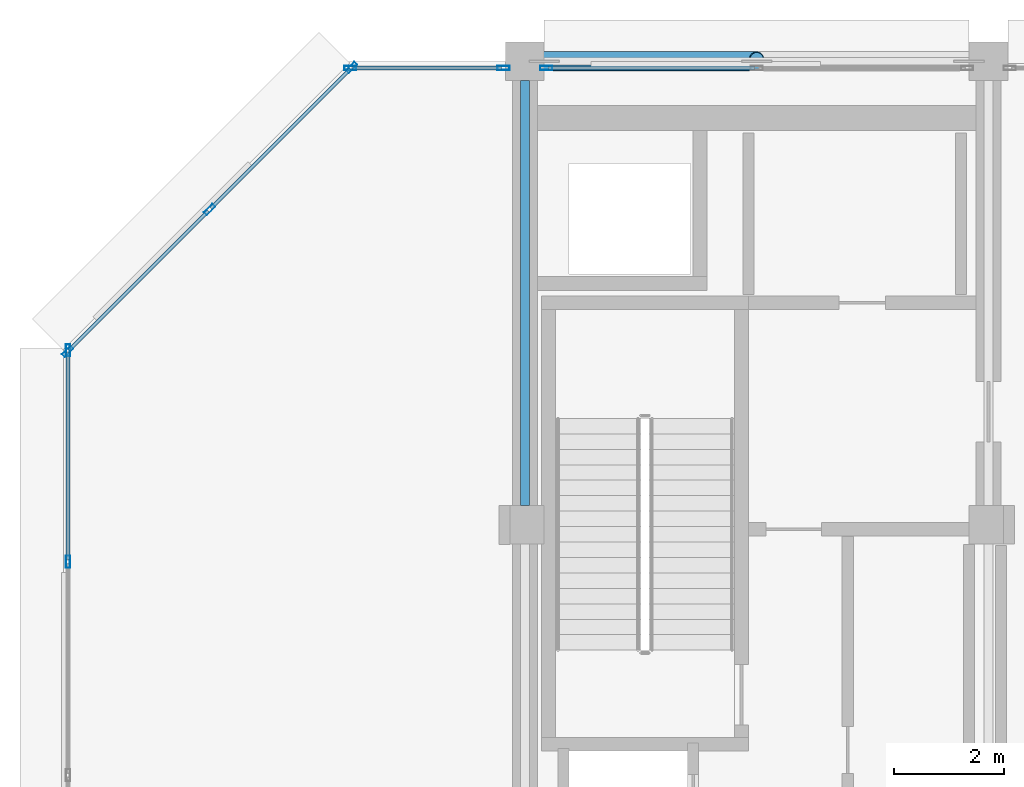
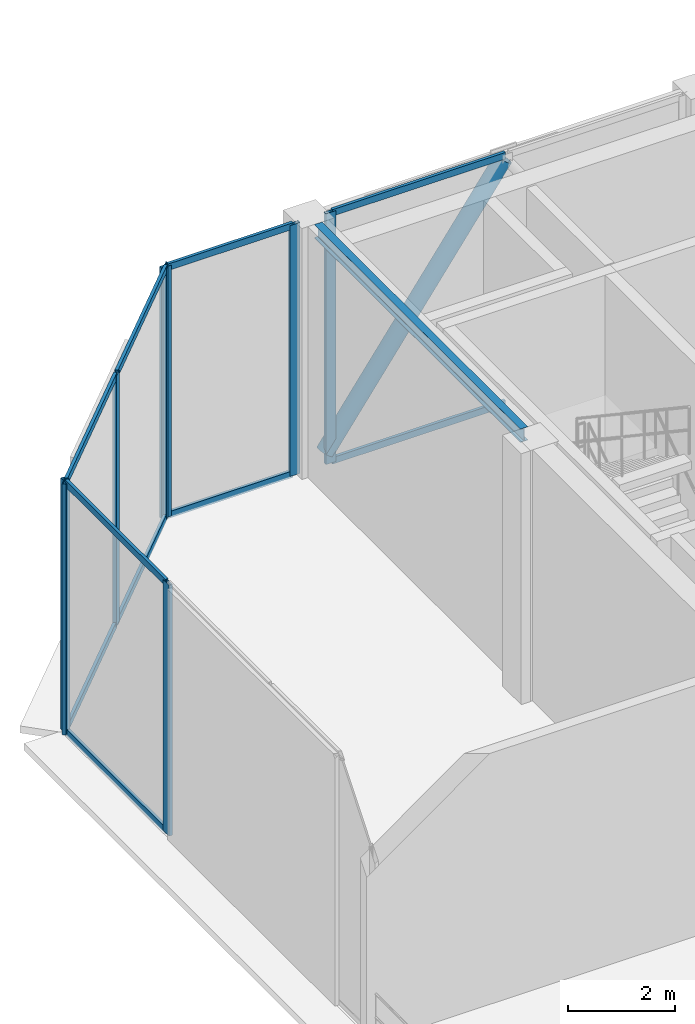
# One storey, part 12 of 19: 19 members, 1 beam, 4 elements without a shape of their own.
"""IFC4 building model written with IfcOpenShell, lengths in metres."""

from ifc_helpers import new_model, si_unit, direction, frame, origin, origin_2d, place, context, subcontext, project, spatial, hollow_rectangle, hollow_circle, i_section, extrude, material, layer, layer_set, material_profile, profile_set, type_object, element, aggregate, save


model = new_model("IFC4")

# Units and contexts
model_context = context("Model", 3, precision=1e-05, world=origin(), true_north=direction((0.0, 1.0)))
body_context = subcontext(model_context, "Body", "Model", "MODEL_VIEW")
ifc_project = project(units=[si_unit("LENGTHUNIT", "METRE"), si_unit("AREAUNIT", "SQUARE_METRE"), si_unit("VOLUMEUNIT", "CUBIC_METRE"), si_unit("PLANEANGLEUNIT", "RADIAN"), si_unit("MASSUNIT", "GRAM", prefix="KILO")], contexts=[model_context])

# Site, building, storey
site_placement = place(None, origin())
site = spatial("IfcSite", under=ifc_project, at=site_placement, CompositionType="ELEMENT")
building_placement = place(site_placement, origin())
building = spatial("IfcBuilding", under=site, at=building_placement, Name="Nerrivon Quay Data Exchange", CompositionType="ELEMENT")
storey_placement = place(building_placement, frame((0.0, 0.0, 327.0)))
storey = spatial("IfcBuildingStorey", under=building, at=storey_placement, Name="L78", CompositionType="ELEMENT", Elevation=327.0)

# Beam
ifc_material_1 = material(Name="Steel Grade 350", Category="steel")
ifc_material_profile_1 = material_profile(ifc_material_1, i_section(OverallWidth=0.166015625, OverallDepth=0.306884765625, WebThickness=0.006591796875, FlangeThickness=0.01171875, FilletRadius=0.011474609375, at=origin_2d()), Name="310UB46.2")
ifc_profile_set_1 = profile_set([ifc_material_profile_1], Name="Steel Grade 350")
beam_type = type_object("IfcBeamType", Name="BM-J5-310UB46", PredefinedType="JOIST", material=ifc_profile_set_1)
beam_placement = place(storey_placement, frame((8.39990234375, 33.949951171875, 5.571533203125), z_axis=(0.0, 1.0, 0.0), x_axis=(-1.0, 0.0, 0.0)))
element("IfcBeam", 1, at=beam_placement, inside=storey, type_object=beam_type, Name="L78 NS Girder X=8.4 (33.6..42.0)", PredefinedType="JOIST", context=body_context, shape_type="SweptSolid", body=[
    extrude(i_section(OverallWidth=0.166015625, OverallDepth=0.306884765625, WebThickness=0.006591796875, FlangeThickness=0.01171875, FilletRadius=0.011474609375, at=origin_2d()), origin(), (0.0, 0.0, 1.0), 7.699951171875),
])

# Curtain wall, members
ifc_material_2 = material(Name="Anodised aluminium 6063-T6", Category="aluminium")
ifc_layer = layer(ifc_material_2, 0.22998046875)
ifc_layer_set = layer_set([ifc_layer], Name="Anodised aluminium 6063-T6")
curtain_wall_type = type_object("IfcCurtainWallType", Name="CW-SYS-05", PredefinedType="NOTDEFINED", material=ifc_layer_set)
curtain_wall_1_placement = place(storey_placement, origin())
curtain_wall_1 = element("IfcCurtainWall", 2, at=curtain_wall_1_placement, inside=storey, type_object=curtain_wall_type, Name="L78 Crown Curtain Wall 14", PredefinedType="NOTDEFINED")
ifc_material_profile_2 = material_profile(ifc_material_2, hollow_rectangle(XDim=0.074951171875, YDim=0.219970703125, WallThickness=0.00390625, at=origin_2d()), Name="ALU-MULL-220x75")
ifc_profile_set_2 = profile_set([ifc_material_profile_2], Name="Anodised aluminium 6063-T6")
member_type_1 = type_object("IfcMemberType", Name="CWM-220x75", PredefinedType="MULLION", material=ifc_profile_set_2)
member_1_placement = place(storey_placement, frame((0.111328125, 36.74169921875, 0.0), z_axis=(0.0, 0.0, 1.0), x_axis=(-0.707106781187, 0.707106781187, 0.0)))
member_1 = element("IfcMember", 3, at=member_1_placement, type_object=member_type_1, Name="CW05 mullion 1", PredefinedType="MULLION", context=body_context, shape_type="SweptSolid", body=[
    extrude(hollow_rectangle(XDim=0.074951171875, YDim=0.219970703125, WallThickness=0.00390625, at=origin_2d()), origin(), (0.0, 0.0, 1.0), 5.72509765625),
])
member_2_placement = place(storey_placement, frame((2.684814453125, 39.315185546875, 0.0), z_axis=(0.0, 0.0, 1.0), x_axis=(-0.707106781187, 0.707106781187, 0.0)))
member_2 = element("IfcMember", 4, at=member_2_placement, type_object=member_type_1, Name="CW05 mullion 2", PredefinedType="MULLION", context=body_context, shape_type="SweptSolid", body=[
    extrude(hollow_rectangle(XDim=0.074951171875, YDim=0.219970703125, WallThickness=0.00390625, at=origin_2d()), origin(), (0.0, 0.0, 1.0), 5.72509765625),
])
member_3_placement = place(storey_placement, frame((5.25830078125, 41.888671875, 0.0), z_axis=(0.0, 0.0, 1.0), x_axis=(-0.707106781187, 0.707106781187, 0.0)))
member_3 = element("IfcMember", 5, at=member_3_placement, type_object=member_type_1, Name="CW05 mullion 3", PredefinedType="MULLION", context=body_context, shape_type="SweptSolid", body=[
    extrude(hollow_rectangle(XDim=0.074951171875, YDim=0.219970703125, WallThickness=0.00390625, at=origin_2d()), origin(), (0.0, 0.0, 1.0), 5.72509765625),
])

curtain_wall_2_placement = place(storey_placement, origin())
curtain_wall_2 = element("IfcCurtainWall", 6, at=curtain_wall_2_placement, inside=storey, type_object=curtain_wall_type, Name="L78 Crown Curtain Wall 15", PredefinedType="NOTDEFINED")
member_4_placement = place(storey_placement, frame((5.237548828125, 41.8798828125, 0.0), z_axis=(0.0, 0.0, 1.0), x_axis=(0.0, 1.0, 0.0)))
member_4 = element("IfcMember", 7, at=member_4_placement, type_object=member_type_1, Name="CW05 mullion 1", PredefinedType="MULLION", context=body_context, shape_type="SweptSolid", body=[
    extrude(hollow_rectangle(XDim=0.074951171875, YDim=0.219970703125, WallThickness=0.00390625, at=origin_2d()), origin(), (0.0, 0.0, 1.0), 5.72509765625),
])
member_5_placement = place(storey_placement, frame((8.012451171875, 41.8798828125, 0.0), z_axis=(0.0, 0.0, 1.0), x_axis=(0.0, 1.0, 0.0)))
member_5 = element("IfcMember", 8, at=member_5_placement, type_object=member_type_1, Name="CW05 mullion 2", PredefinedType="MULLION", context=body_context, shape_type="SweptSolid", body=[
    extrude(hollow_rectangle(XDim=0.074951171875, YDim=0.219970703125, WallThickness=0.00390625, at=origin_2d()), origin(), (0.0, 0.0, 1.0), 5.72509765625),
])

# Curtain wall, member
curtain_wall_3_placement = place(storey_placement, origin())
curtain_wall_3 = element("IfcCurtainWall", 9, at=curtain_wall_3_placement, inside=storey, type_object=curtain_wall_type, Name="L78 Crown Curtain Wall 16", PredefinedType="NOTDEFINED")
member_6_placement = place(storey_placement, frame((8.78759765625, 41.8798828125, 0.0), z_axis=(0.0, 0.0, 1.0), x_axis=(0.0, 1.0, 0.0)))
member_6 = element("IfcMember", 10, at=member_6_placement, type_object=member_type_1, Name="CW05 mullion 1", PredefinedType="MULLION", context=body_context, shape_type="SweptSolid", body=[
    extrude(hollow_rectangle(XDim=0.074951171875, YDim=0.219970703125, WallThickness=0.00390625, at=origin_2d()), origin(), (0.0, 0.0, 1.0), 5.72509765625),
])

# Curtain wall, members
curtain_wall_4_placement = place(storey_placement, origin())
curtain_wall_4 = element("IfcCurtainWall", 11, at=curtain_wall_4_placement, inside=storey, type_object=curtain_wall_type, Name="L78 Crown Curtain Wall 24", PredefinedType="NOTDEFINED")
member_7_placement = place(storey_placement, frame((0.1201171875, 32.933349609375, 0.0), z_axis=(0.0, 0.0, 1.0), x_axis=(-1.0, 0.0, 0.0)))
member_7 = element("IfcMember", 12, at=member_7_placement, type_object=member_type_1, Name="CW05 mullion 3", PredefinedType="MULLION", context=body_context, shape_type="SweptSolid", body=[
    extrude(hollow_rectangle(XDim=0.074951171875, YDim=0.219970703125, WallThickness=0.00390625, at=origin_2d()), origin(), (0.0, 0.0, 1.0), 5.72509765625),
])
member_8_placement = place(storey_placement, frame((0.1201171875, 36.762451171875, 0.0), z_axis=(0.0, 0.0, 1.0), x_axis=(-1.0, 0.0, 0.0)))
member_8 = element("IfcMember", 13, at=member_8_placement, type_object=member_type_1, Name="CW05 mullion 4", PredefinedType="MULLION", context=body_context, shape_type="SweptSolid", body=[
    extrude(hollow_rectangle(XDim=0.074951171875, YDim=0.219970703125, WallThickness=0.00390625, at=origin_2d()), origin(), (0.0, 0.0, 1.0), 5.72509765625),
])

# Member
ifc_material_profile_3 = material_profile(ifc_material_2, hollow_rectangle(XDim=0.06494140625, YDim=0.14990234375, WallThickness=0.00341796875, at=origin_2d()), Name="ALU-TRAN-150x65")
ifc_profile_set_3 = profile_set([ifc_material_profile_3], Name="Anodised aluminium 6063-T6")
member_type_2 = type_object("IfcMemberType", Name="CWT-150x65", PredefinedType="USERDEFINED", material=ifc_profile_set_3)
member_9_placement = place(storey_placement, frame((0.137939453125, 36.76806640625, 0.032470703125), z_axis=(0.707106781187, 0.707106781187, 0.0), x_axis=(-0.707106781187, 0.707106781187, 0.0)))
member_9 = element("IfcMember", 14, at=member_9_placement, type_object=member_type_2, Name="CW05 transom 1.1", ObjectType="TRANSOM", PredefinedType="USERDEFINED", context=body_context, shape_type="SweptSolid", body=[
    extrude(hollow_rectangle(XDim=0.06494140625, YDim=0.14990234375, WallThickness=0.00341796875, at=origin_2d()), origin(), (0.0, 0.0, 1.0), 3.564453125),
])

member_10_placement = place(storey_placement, frame((0.137939453125, 36.76806640625, 5.6923828125), z_axis=(0.707106781187, 0.707106781187, 0.0), x_axis=(-0.707106781187, 0.707106781187, 0.0)))
member_10 = element("IfcMember", 15, at=member_10_placement, type_object=member_type_2, Name="CW05 transom 1.2", ObjectType="TRANSOM", PredefinedType="USERDEFINED", context=body_context, shape_type="SweptSolid", body=[
    extrude(hollow_rectangle(XDim=0.06494140625, YDim=0.14990234375, WallThickness=0.00341796875, at=origin_2d()), origin(), (0.0, 0.0, 1.0), 3.564453125),
])

member_11_placement = place(storey_placement, frame((2.71142578125, 39.341552734375, 0.032470703125), z_axis=(0.707106781187, 0.707106781187, 0.0), x_axis=(-0.707106781187, 0.707106781187, 0.0)))
member_11 = element("IfcMember", 16, at=member_11_placement, type_object=member_type_2, Name="CW05 transom 2.1", ObjectType="TRANSOM", PredefinedType="USERDEFINED", context=body_context, shape_type="SweptSolid", body=[
    extrude(hollow_rectangle(XDim=0.06494140625, YDim=0.14990234375, WallThickness=0.00341796875, at=origin_2d()), origin(), (0.0, 0.0, 1.0), 3.564453125),
])

member_12_placement = place(storey_placement, frame((2.71142578125, 39.341552734375, 5.6923828125), z_axis=(0.707106781187, 0.707106781187, 0.0), x_axis=(-0.707106781187, 0.707106781187, 0.0)))
member_12 = element("IfcMember", 17, at=member_12_placement, type_object=member_type_2, Name="CW05 transom 2.2", ObjectType="TRANSOM", PredefinedType="USERDEFINED", context=body_context, shape_type="SweptSolid", body=[
    extrude(hollow_rectangle(XDim=0.06494140625, YDim=0.14990234375, WallThickness=0.00341796875, at=origin_2d()), origin(), (0.0, 0.0, 1.0), 3.564453125),
])

aggregate(curtain_wall_1, [member_1, member_2, member_3, member_9, member_10, member_11, member_12])

member_13_placement = place(storey_placement, frame((5.27490234375, 41.8798828125, 0.032470703125), z_axis=(1.0, 0.0, 0.0), x_axis=(0.0, 1.0, 0.0)))
member_13 = element("IfcMember", 18, at=member_13_placement, type_object=member_type_2, Name="CW05 transom 1.1", ObjectType="TRANSOM", PredefinedType="USERDEFINED", context=body_context, shape_type="SweptSolid", body=[
    extrude(hollow_rectangle(XDim=0.06494140625, YDim=0.14990234375, WallThickness=0.00341796875, at=origin_2d()), origin(), (0.0, 0.0, 1.0), 2.7001953125),
])

member_14_placement = place(storey_placement, frame((5.27490234375, 41.8798828125, 5.6923828125), z_axis=(1.0, 0.0, 0.0), x_axis=(0.0, 1.0, 0.0)))
member_14 = element("IfcMember", 19, at=member_14_placement, type_object=member_type_2, Name="CW05 transom 1.2", ObjectType="TRANSOM", PredefinedType="USERDEFINED", context=body_context, shape_type="SweptSolid", body=[
    extrude(hollow_rectangle(XDim=0.06494140625, YDim=0.14990234375, WallThickness=0.00341796875, at=origin_2d()), origin(), (0.0, 0.0, 1.0), 2.7001953125),
])

aggregate(curtain_wall_2, [member_4, member_5, member_13, member_14])

member_15_placement = place(storey_placement, frame((8.824951171875, 41.8798828125, 0.032470703125), z_axis=(1.0, 0.0, 0.0), x_axis=(0.0, 1.0, 0.0)))
member_15 = element("IfcMember", 20, at=member_15_placement, type_object=member_type_2, Name="CW05 transom 1.1", ObjectType="TRANSOM", PredefinedType="USERDEFINED", context=body_context, shape_type="SweptSolid", body=[
    extrude(hollow_rectangle(XDim=0.06494140625, YDim=0.14990234375, WallThickness=0.00341796875, at=origin_2d()), origin(), (0.0, 0.0, 1.0), 3.737548828125),
])

member_16_placement = place(storey_placement, frame((8.824951171875, 41.8798828125, 5.6923828125), z_axis=(1.0, 0.0, 0.0), x_axis=(0.0, 1.0, 0.0)))
member_16 = element("IfcMember", 21, at=member_16_placement, type_object=member_type_2, Name="CW05 transom 1.2", ObjectType="TRANSOM", PredefinedType="USERDEFINED", context=body_context, shape_type="SweptSolid", body=[
    extrude(hollow_rectangle(XDim=0.06494140625, YDim=0.14990234375, WallThickness=0.00341796875, at=origin_2d()), origin(), (0.0, 0.0, 1.0), 3.737548828125),
])

aggregate(curtain_wall_3, [member_6, member_15, member_16])

member_17_placement = place(storey_placement, frame((0.1201171875, 32.970947265625, 0.032470703125), z_axis=(0.0, 1.0, 0.0), x_axis=(-1.0, 0.0, 0.0)))
member_17 = element("IfcMember", 22, at=member_17_placement, type_object=member_type_2, Name="CW05 transom 3.1", ObjectType="TRANSOM", PredefinedType="USERDEFINED", context=body_context, shape_type="SweptSolid", body=[
    extrude(hollow_rectangle(XDim=0.06494140625, YDim=0.14990234375, WallThickness=0.00341796875, at=origin_2d()), origin(), (0.0, 0.0, 1.0), 3.754150390625),
])

member_18_placement = place(storey_placement, frame((0.1201171875, 32.970947265625, 5.6923828125), z_axis=(0.0, 1.0, 0.0), x_axis=(-1.0, 0.0, 0.0)))
member_18 = element("IfcMember", 23, at=member_18_placement, type_object=member_type_2, Name="CW05 transom 3.2", ObjectType="TRANSOM", PredefinedType="USERDEFINED", context=body_context, shape_type="SweptSolid", body=[
    extrude(hollow_rectangle(XDim=0.06494140625, YDim=0.14990234375, WallThickness=0.00341796875, at=origin_2d()), origin(), (0.0, 0.0, 1.0), 3.754150390625),
])

aggregate(curtain_wall_4, [member_7, member_8, member_17, member_18])

ifc_material_3 = material(Name="Steel Grade C350L0 (350 MPa)", Category="steel")
ifc_material_profile_4 = material_profile(ifc_material_3, hollow_circle(Radius=0.177734375, WallThickness=0.01611328125, at=origin_2d()), Name="355.6x16.0CHS")
ifc_profile_set_4 = profile_set([ifc_material_profile_4], Name="Steel Grade C350L0 (350 MPa)")
member_type_3 = type_object("IfcMemberType", Name="MEM-PB1-355CHS", PredefinedType="BRACE", material=ifc_profile_set_4)
member_19_placement = place(storey_placement, frame((8.75, 42.0, 0.179931640625), z_axis=(0.584248117778, 0.0, 0.811575096262), x_axis=(0.0, 1.0, 0.0)))
element("IfcMember", 24, at=member_19_placement, inside=storey, type_object=member_type_3, Name="L78 structural brace PB-L78-02A", PredefinedType="BRACE", context=body_context, shape_type="SweptSolid", body=[
    extrude(hollow_circle(Radius=0.177734375, WallThickness=0.01611328125, at=origin_2d()), origin(), (0.0, 0.0, 1.0), 6.58984375),
])

save(model, "model.ifc")
